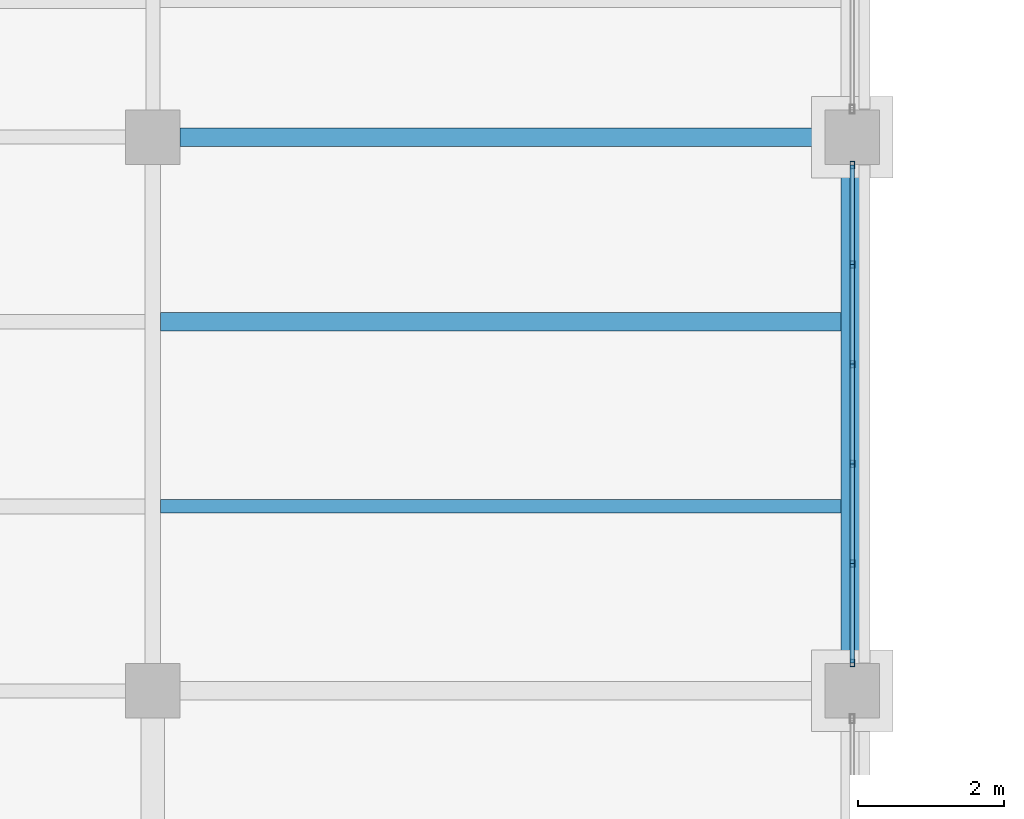
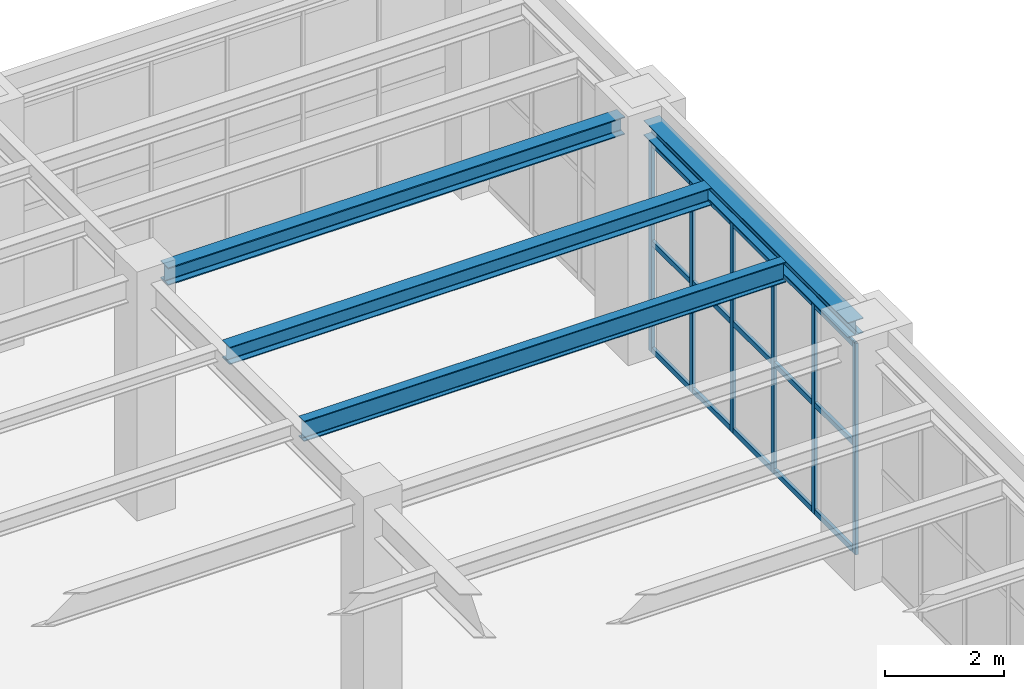
# One storey, part 80 of 174: 21 members, 4 beams, 1 element without a shape of its own.
"""IFC4 building model written with IfcOpenShell, lengths in metres."""

import ifcopenshell
import ifcopenshell.guid

model = None  # the IFC model being written
_history = None  # IfcOwnerHistory: only IFC2X3 demands one
_inside = {}  # id of a spatial element -> (the spatial element, [elements in it])
_under = {}  # id of a project, library or spatial element -> (it, [spatial elements below it])
_declared = {}  # id of a project -> (the project, [libraries it declares])
_typed = {}  # id of a type object -> (the type object, [elements of that type])
_made_of = {}  # id of a material, layer set ... -> (it, [elements and type objects made of it])


def new_model(schema):
    """Start an empty IFC model of exactly this schema.

    Asked for "IFC4X3", IfcOpenShell would pick the latest addendum, in which some entities
    have other attributes; the version numbers below select the first issue.
    IFC2X3 requires an IfcOwnerHistory on every rooted entity: one is made here for all.
    """
    global model, _history
    if schema == "IFC4X3":
        model = ifcopenshell.file(schema_version=(4, 3, 0, 0))
    else:
        model = ifcopenshell.file(schema=schema)
    _inside.clear()
    _under.clear()
    _declared.clear()
    _typed.clear()
    _made_of.clear()
    _history = None
    if model.schema == "IFC2X3":
        org = make("IfcOrganization", Name="unknown")
        user = make(
            "IfcPersonAndOrganization",
            ThePerson=make("IfcPerson", FamilyName="unknown"),
            TheOrganization=org,
        )
        app = make(
            "IfcApplication",
            ApplicationDeveloper=org,
            Version="unknown",
            ApplicationFullName="unknown",
            ApplicationIdentifier="unknown",
        )
        _history = make(
            "IfcOwnerHistory",
            OwningUser=user,
            OwningApplication=app,
            ChangeAction="ADDED",
            CreationDate=0,
        )
    return model


def make(cls, **values):
    """One entity of the class cls with the attributes given. An attribute that is None is left unset."""
    return model.create_entity(
        cls, **{name: value for name, value in values.items() if value is not None}
    )


def rooted(cls, **values):
    """An entity with a GlobalId (a new one), such as an element, a storey or a relation."""
    return make(cls, GlobalId=ifcopenshell.guid.new(), OwnerHistory=_history, **values)


def si_unit(unit_type, name, prefix=None):
    """IfcSIUnit, for example si_unit("LENGTHUNIT", "METRE", prefix="MILLI")."""
    return make("IfcSIUnit", UnitType=unit_type, Prefix=prefix, Name=name)


def assignment(units):
    """IfcUnitAssignment: the units of a project."""
    return None if units is None else make("IfcUnitAssignment", Units=units)


def point(xyz):
    """IfcCartesianPoint."""
    return None if xyz is None else make("IfcCartesianPoint", Coordinates=xyz)


def direction(xyz):
    """IfcDirection."""
    return None if xyz is None else make("IfcDirection", DirectionRatios=xyz)


def frame(location, z_axis=None, x_axis=None):
    """IfcAxis2Placement3D, a coordinate frame: its origin and axes. An axis left out is left unset."""
    return make(
        "IfcAxis2Placement3D",
        Location=point(location),
        Axis=direction(z_axis),
        RefDirection=direction(x_axis),
    )


def frame_2d(location, x_axis=None):
    """IfcAxis2Placement2D, a coordinate frame in the plane: its origin and x axis."""
    return make(
        "IfcAxis2Placement2D", Location=point(location), RefDirection=direction(x_axis)
    )


def origin():
    """The frame at (0, 0, 0) with its axes left unset."""
    return frame((0.0, 0.0, 0.0))


def origin_2d():
    """The frame at (0, 0) in the plane with its x axis left unset."""
    return frame_2d((0.0, 0.0))


def place(relative_to, where):
    """IfcLocalPlacement: puts the frame where relative to a parent placement (None: the world)."""
    return make(
        "IfcLocalPlacement", PlacementRelTo=relative_to, RelativePlacement=where
    )


def context(
    kind, dimensions, precision=None, world=None, true_north=None, identifier=None
):
    """IfcGeometricRepresentationContext, for example the 3D "Model" context."""
    return make(
        "IfcGeometricRepresentationContext",
        ContextIdentifier=identifier,
        ContextType=kind,
        CoordinateSpaceDimension=dimensions,
        Precision=precision,
        WorldCoordinateSystem=world,
        TrueNorth=true_north,
    )


def subcontext(parent, identifier, kind, view, scale=None):
    """IfcGeometricRepresentationSubContext, for example "Body" below "Model"."""
    return make(
        "IfcGeometricRepresentationSubContext",
        ContextIdentifier=identifier,
        ContextType=kind,
        ParentContext=parent,
        TargetScale=scale,
        TargetView=view,
    )


def project(units=None, contexts=None):
    """IfcProject with its units and contexts."""
    return rooted(
        "IfcProject",
        Name="project",
        RepresentationContexts=contexts,
        UnitsInContext=assignment(units),
    )


def spatial(cls, under=None, at=None, **own):
    """A site, building, storey or space (cls), placed at a placement, below another one or the project."""
    s = rooted(cls, ObjectPlacement=at, **own)
    if under is not None:
        _under.setdefault(under.id(), (under, []))[1].append(s)
    return s


def profile(cls, at=None, kind="AREA", **sizes):
    """A parametric profile (cls). Its sizes go by their IFC names, for example OverallWidth=200.0."""
    return make(cls, ProfileType=kind, Position=at, **sizes)


def hollow_rectangle(**sizes):
    """IfcRectangleHollowProfileDef."""
    return profile("IfcRectangleHollowProfileDef", **sizes)


def i_section(**sizes):
    """IfcIShapeProfileDef."""
    return profile("IfcIShapeProfileDef", **sizes)


def extrude(swept, where, along, depth):
    """IfcExtrudedAreaSolid: the profile swept, set in the frame where, extruded along a direction by depth."""
    return make(
        "IfcExtrudedAreaSolid",
        SweptArea=swept,
        Position=where,
        ExtrudedDirection=direction(along),
        Depth=depth,
    )


def shape(context_of_items, identifier, shape_type, items):
    """IfcShapeRepresentation: the items that make up one representation, for example the "Body"."""
    return make(
        "IfcShapeRepresentation",
        ContextOfItems=context_of_items,
        RepresentationIdentifier=identifier,
        RepresentationType=shape_type,
        Items=items,
    )


def material(Name=None, Category=None):
    """IfcMaterial."""
    return make("IfcMaterial", Name=Name, Category=Category)


def material_profile(
    of_material, cross_section, Name=None, Category=None, Priority=None
):
    """IfcMaterialProfile: a cross section and its material."""
    return make(
        "IfcMaterialProfile",
        Name=Name,
        Material=of_material,
        Profile=cross_section,
        Priority=Priority,
        Category=Category,
    )


def profile_set(profiles, Name=None, composite=None):
    """IfcMaterialProfileSet."""
    return make(
        "IfcMaterialProfileSet",
        Name=Name,
        MaterialProfiles=profiles,
        CompositeProfile=composite,
    )


def made_of(thing, what):
    """Note that an element or type object is made of a material, layer set ...; save() writes the relation."""
    if what is not None:
        _made_of.setdefault(what.id(), (what, []))[1].append(thing)
    return thing


def type_object(cls, material=None, **own):
    """A type object (cls), such as IfcWallType, which elements share."""
    return made_of(rooted(cls, **own), material)


def element(
    cls,
    number,
    at=None,
    inside=None,
    cuts=None,
    type_object=None,
    material=None,
    context=None,
    identifier="Body",
    shape_type=None,
    held_by="IfcProductDefinitionShape",
    body=None,
    shapes=None,
    **own,
):
    """One element of the class cls, such as IfcWall. Its Tag is "e" and its number.

    at: its placement. inside: the storey or other place that contains it. cuts: it is an
    opening in that element (IfcRelVoidsElement). A single representation is given by context,
    identifier, shape_type and body (its items); several are given by shapes. held_by: the class
    of the entity that holds the representations. save() writes the other relations.
    """
    e = rooted(cls, Tag="e%d" % number, ObjectPlacement=at, **own)
    if body is not None:
        shapes = [shape(context, identifier, shape_type, body)]
    if shapes is not None:
        e.Representation = make(held_by, Representations=shapes)
    if inside is not None:
        _inside.setdefault(inside.id(), (inside, []))[1].append(e)
    if cuts is not None:
        rooted(
            "IfcRelVoidsElement", RelatingBuildingElement=cuts, RelatedOpeningElement=e
        )
    if type_object is not None:
        _typed.setdefault(type_object.id(), (type_object, []))[1].append(e)
    return made_of(e, material)


def aggregate(whole, parts):
    """IfcRelAggregates: a whole, such as a stair, and the parts it consists of."""
    return rooted("IfcRelAggregates", RelatingObject=whole, RelatedObjects=parts)


def save(model, path):
    """Write the relations noted so far, then the file.

    IfcRelAggregates (storeys below a building ...), IfcRelContainedInSpatialStructure (elements
    in a storey), IfcRelDefinesByType, IfcRelAssociatesMaterial and IfcRelDeclares: one each for
    every whole, place, type object, material and project.
    """
    for whole, parts in _under.values():
        aggregate(whole, parts)
    for where, things in _inside.values():
        rooted(
            "IfcRelContainedInSpatialStructure",
            RelatedElements=things,
            RelatingStructure=where,
        )
    for kind, things in _typed.values():
        rooted("IfcRelDefinesByType", RelatedObjects=things, RelatingType=kind)
    for what, things in _made_of.values():
        rooted("IfcRelAssociatesMaterial", RelatedObjects=things, RelatingMaterial=what)
    for by, libraries in _declared.values():
        rooted("IfcRelDeclares", RelatingContext=by, RelatedDefinitions=libraries)
    model.write(path)


model = new_model("IFC4")

# Units and contexts
model_context = context("Model", 3, precision=1e-05, world=origin(), true_north=direction((0.0, 1.0)))
body_context = subcontext(model_context, "Body", "Model", "MODEL_VIEW")
ifc_project = project(units=[si_unit("LENGTHUNIT", "METRE"), si_unit("AREAUNIT", "SQUARE_METRE"), si_unit("VOLUMEUNIT", "CUBIC_METRE"), si_unit("PLANEANGLEUNIT", "RADIAN"), si_unit("MASSUNIT", "GRAM", prefix="KILO")], contexts=[model_context])

# Site, building, storey
site_placement = place(None, origin())
site = spatial("IfcSite", under=ifc_project, at=site_placement, CompositionType="ELEMENT")
building_placement = place(site_placement, origin())
building = spatial("IfcBuilding", under=site, at=building_placement, Name="Mavantir Sound Aquarium", CompositionType="ELEMENT")
storey_placement = place(building_placement, frame((0.0, 0.0, 5.39990234375)))
storey = spatial("IfcBuildingStorey", under=building, at=storey_placement, Name="L01", CompositionType="ELEMENT", Elevation=5.39990234375)

# Beams
ifc_material_1 = material(Name="Structural Steel ASTM A992 Gr50", Category="steel")
ifc_material_profile_1 = material_profile(ifc_material_1, i_section(OverallWidth=0.304931640625, OverallDepth=0.30810546875, WebThickness=0.010009765625, FlangeThickness=0.015380859375, FilletRadius=0.014892578125, at=origin_2d()), Name="W310X97")
ifc_profile_set_1 = profile_set([ifc_material_profile_1], Name="Structural Steel ASTM A992 Gr50")
beam_type_1 = type_object("IfcBeamType", Name="BM-W310X97-E", PredefinedType="SPANDREL", material=ifc_profile_set_1)
beam_1_placement = place(storey_placement, frame((38.39990234375, 103.175048828125, 4.6220703125), z_axis=(0.0, 1.0, 0.0), x_axis=(-1.0, 0.0, 0.0)))
element("IfcBeam", 1, at=beam_1_placement, inside=storey, type_object=beam_type_1, Name="L01 primary girder SS-31A 1395", PredefinedType="SPANDREL", context=body_context, shape_type="SweptSolid", body=[
    extrude(i_section(OverallWidth=0.304931640625, OverallDepth=0.30810546875, WebThickness=0.010009765625, FlangeThickness=0.015380859375, FilletRadius=0.014892578125, at=origin_2d()), origin(), (0.0, 0.0, 1.0), 6.849853515625),
])
ifc_material_profile_2 = material_profile(ifc_material_1, i_section(OverallWidth=0.257080078125, OverallDepth=0.363037109375, WebThickness=0.012939453125, FlangeThickness=0.021728515625, FilletRadius=0.014892578125, at=origin_2d()), Name="W360X122")
ifc_profile_set_2 = profile_set([ifc_material_profile_2], Name="Structural Steel ASTM A992 Gr50")
beam_type_2 = type_object("IfcBeamType", Name="BM-W360X122-I", PredefinedType="BEAM", material=ifc_profile_set_2)
beam_2_placement = place(storey_placement, frame((29.175048828125, 110.39990234375, 4.594482421875), z_axis=(1.0, 0.0, 0.0), x_axis=(0.0, 1.0, 0.0)))
element("IfcBeam", 2, at=beam_2_placement, inside=storey, type_object=beam_type_2, Name="L01 primary beam SB-36A 1372", PredefinedType="BEAM", context=body_context, shape_type="SweptSolid", body=[
    extrude(i_section(OverallWidth=0.257080078125, OverallDepth=0.363037109375, WebThickness=0.012939453125, FlangeThickness=0.021728515625, FilletRadius=0.014892578125, at=origin_2d()), origin(), (0.0, 0.0, 1.0), 8.849853515625),
])
ifc_material_profile_3 = material_profile(ifc_material_1, i_section(OverallWidth=0.25390625, OverallDepth=0.35302734375, WebThickness=0.009521484375, FlangeThickness=0.016357421875, FilletRadius=0.014892578125, at=origin_2d()), Name="W360X91")
ifc_profile_set_3 = profile_set([ifc_material_profile_3], Name="Structural Steel ASTM A992 Gr50")
beam_type_3 = type_object("IfcBeamType", Name="BM-W360X91-I", PredefinedType="JOIST", material=ifc_profile_set_3)
beam_3_placement = place(storey_placement, frame((28.906005859375, 107.86669921875, 4.599609375), z_axis=(1.0, 0.0, 0.0), x_axis=(0.0, 1.0, 0.0)))
element("IfcBeam", 3, at=beam_3_placement, inside=storey, type_object=beam_type_3, Name="L01 secondary floor joist SJ-36 822", PredefinedType="JOIST", context=body_context, shape_type="SweptSolid", body=[
    extrude(i_section(OverallWidth=0.25390625, OverallDepth=0.35302734375, WebThickness=0.009521484375, FlangeThickness=0.016357421875, FilletRadius=0.014892578125, at=origin_2d()), origin(), (0.0, 0.0, 1.0), 9.341552734375),
])
ifc_material_profile_4 = material_profile(ifc_material_1, i_section(OverallWidth=0.180908203125, OverallDepth=0.4169921875, WebThickness=0.010986328125, FlangeThickness=0.018310546875, FilletRadius=0.014892578125, at=origin_2d()), Name="W410X85")
ifc_profile_set_4 = profile_set([ifc_material_profile_4], Name="Structural Steel ASTM A992 Gr50")
beam_type_4 = type_object("IfcBeamType", Name="BM-W410X85-I", PredefinedType="JOIST", material=ifc_profile_set_4)
beam_4_placement = place(storey_placement, frame((28.906005859375, 105.333251953125, 4.567626953125), z_axis=(1.0, 0.0, 0.0), x_axis=(0.0, 1.0, 0.0)))
element("IfcBeam", 4, at=beam_4_placement, inside=storey, type_object=beam_type_4, Name="L01 secondary floor joist SJ-41 821", PredefinedType="JOIST", context=body_context, shape_type="SweptSolid", body=[
    extrude(i_section(OverallWidth=0.180908203125, OverallDepth=0.4169921875, WebThickness=0.010986328125, FlangeThickness=0.018310546875, FilletRadius=0.014892578125, at=origin_2d()), origin(), (0.0, 0.0, 1.0), 9.341552734375),
])

# Curtain wall, members
ifc_material_2 = material(Name="Anodised Marine Aluminium and Low-E Glass", Category="aluminium")
curtain_wall_type = type_object("IfcCurtainWallType", Name="CW-T19", PredefinedType="USERDEFINED", material=ifc_material_2)
curtain_wall_placement = place(storey_placement, origin())
curtain_wall = element("IfcCurtainWall", 5, at=curtain_wall_placement, inside=storey, type_object=curtain_wall_type, Name="L01 unitised curtain wall CW-19 115", ObjectType="UNITISED GLAZING", PredefinedType="USERDEFINED")
ifc_material_3 = material(Name="Anodised Marine Aluminium 6063-T6", Category="aluminium")
ifc_material_profile_5 = material_profile(ifc_material_3, hollow_rectangle(XDim=0.06005859375, YDim=0.10009765625, WallThickness=0.00390625, at=origin_2d()), Name="ALU-MULLION-100X60")
ifc_profile_set_5 = profile_set([ifc_material_profile_5], Name="Anodised Marine Aluminium 6063-T6")
member_type_1 = type_object("IfcMemberType", Name="CW-MUL-100", PredefinedType="MULLION", material=ifc_profile_set_5)
member_1_placement = place(storey_placement, frame((38.39990234375, 103.18310546875, 0.0), z_axis=(0.0, 0.0, 1.0), x_axis=(1.0, 0.0, 0.0)))
member_1 = element("IfcMember", 6, at=member_1_placement, type_object=member_type_1, Name="CW-L01-115 vertical mullion 1", PredefinedType="MULLION", context=body_context, shape_type="SweptSolid", body=[
    extrude(hollow_rectangle(XDim=0.06005859375, YDim=0.10009765625, WallThickness=0.00390625, at=origin_2d()), origin(), (0.0, 0.0, 1.0), 4.3291015625),
])
member_2_placement = place(storey_placement, frame((38.39990234375, 104.5498046875, 0.0), z_axis=(0.0, 0.0, 1.0), x_axis=(1.0, 0.0, 0.0)))
member_2 = element("IfcMember", 7, at=member_2_placement, type_object=member_type_1, Name="CW-L01-115 vertical mullion 2", PredefinedType="MULLION", context=body_context, shape_type="SweptSolid", body=[
    extrude(hollow_rectangle(XDim=0.06005859375, YDim=0.10009765625, WallThickness=0.00390625, at=origin_2d()), origin(), (0.0, 0.0, 1.0), 4.3291015625),
])
member_3_placement = place(storey_placement, frame((38.39990234375, 105.91650390625, 0.0), z_axis=(0.0, 0.0, 1.0), x_axis=(1.0, 0.0, 0.0)))
member_3 = element("IfcMember", 8, at=member_3_placement, type_object=member_type_1, Name="CW-L01-115 vertical mullion 3", PredefinedType="MULLION", context=body_context, shape_type="SweptSolid", body=[
    extrude(hollow_rectangle(XDim=0.06005859375, YDim=0.10009765625, WallThickness=0.00390625, at=origin_2d()), origin(), (0.0, 0.0, 1.0), 4.3291015625),
])
member_4_placement = place(storey_placement, frame((38.39990234375, 107.283447265625, 0.0), z_axis=(0.0, 0.0, 1.0), x_axis=(1.0, 0.0, 0.0)))
member_4 = element("IfcMember", 9, at=member_4_placement, type_object=member_type_1, Name="CW-L01-115 vertical mullion 4", PredefinedType="MULLION", context=body_context, shape_type="SweptSolid", body=[
    extrude(hollow_rectangle(XDim=0.06005859375, YDim=0.10009765625, WallThickness=0.00390625, at=origin_2d()), origin(), (0.0, 0.0, 1.0), 4.3291015625),
])
member_5_placement = place(storey_placement, frame((38.39990234375, 108.650146484375, 0.0), z_axis=(0.0, 0.0, 1.0), x_axis=(1.0, 0.0, 0.0)))
member_5 = element("IfcMember", 10, at=member_5_placement, type_object=member_type_1, Name="CW-L01-115 vertical mullion 5", PredefinedType="MULLION", context=body_context, shape_type="SweptSolid", body=[
    extrude(hollow_rectangle(XDim=0.06005859375, YDim=0.10009765625, WallThickness=0.00390625, at=origin_2d()), origin(), (0.0, 0.0, 1.0), 4.3291015625),
])
member_6_placement = place(storey_placement, frame((38.39990234375, 110.01708984375, 0.0), z_axis=(0.0, 0.0, 1.0), x_axis=(1.0, 0.0, 0.0)))
member_6 = element("IfcMember", 11, at=member_6_placement, type_object=member_type_1, Name="CW-L01-115 vertical mullion 6", PredefinedType="MULLION", context=body_context, shape_type="SweptSolid", body=[
    extrude(hollow_rectangle(XDim=0.06005859375, YDim=0.10009765625, WallThickness=0.00390625, at=origin_2d()), origin(), (0.0, 0.0, 1.0), 4.3291015625),
])
ifc_material_profile_6 = material_profile(ifc_material_3, hollow_rectangle(XDim=0.06005859375, YDim=0.110107421875, WallThickness=0.00390625, at=origin_2d()), Name="ALU-TRANSOM-110X60")
ifc_profile_set_6 = profile_set([ifc_material_profile_6], Name="Anodised Marine Aluminium 6063-T6")
member_type_2 = type_object("IfcMemberType", Name="CW-TRN-110", PredefinedType="USERDEFINED", material=ifc_profile_set_6)
member_7_placement = place(storey_placement, frame((38.39990234375, 103.18310546875, 0.05517578125), z_axis=(0.0, 1.0, 0.0), x_axis=(-1.0, 0.0, 0.0)))
member_7 = element("IfcMember", 12, at=member_7_placement, type_object=member_type_2, Name="CW-L01-115 transom 1.1", ObjectType="TRANSOM", PredefinedType="USERDEFINED", context=body_context, shape_type="SweptSolid", body=[
    extrude(hollow_rectangle(XDim=0.06005859375, YDim=0.110107421875, WallThickness=0.00390625, at=origin_2d()), origin(), (0.0, 0.0, 1.0), 1.36669921875),
])
member_8_placement = place(storey_placement, frame((38.39990234375, 103.18310546875, 2.251220703125), z_axis=(0.0, 1.0, 0.0), x_axis=(-1.0, 0.0, 0.0)))
member_8 = element("IfcMember", 13, at=member_8_placement, type_object=member_type_2, Name="CW-L01-115 transom 1.2", ObjectType="TRANSOM", PredefinedType="USERDEFINED", context=body_context, shape_type="SweptSolid", body=[
    extrude(hollow_rectangle(XDim=0.06005859375, YDim=0.110107421875, WallThickness=0.00390625, at=origin_2d()), origin(), (0.0, 0.0, 1.0), 1.36669921875),
])
member_9_placement = place(storey_placement, frame((38.39990234375, 103.18310546875, 4.274169921875), z_axis=(0.0, 1.0, 0.0), x_axis=(-1.0, 0.0, 0.0)))
member_9 = element("IfcMember", 14, at=member_9_placement, type_object=member_type_2, Name="CW-L01-115 transom 1.3", ObjectType="TRANSOM", PredefinedType="USERDEFINED", context=body_context, shape_type="SweptSolid", body=[
    extrude(hollow_rectangle(XDim=0.06005859375, YDim=0.110107421875, WallThickness=0.00390625, at=origin_2d()), origin(), (0.0, 0.0, 1.0), 1.36669921875),
])
member_10_placement = place(storey_placement, frame((38.39990234375, 104.5498046875, 0.05517578125), z_axis=(0.0, 1.0, 0.0), x_axis=(-1.0, 0.0, 0.0)))
member_10 = element("IfcMember", 15, at=member_10_placement, type_object=member_type_2, Name="CW-L01-115 transom 2.1", ObjectType="TRANSOM", PredefinedType="USERDEFINED", context=body_context, shape_type="SweptSolid", body=[
    extrude(hollow_rectangle(XDim=0.06005859375, YDim=0.110107421875, WallThickness=0.00390625, at=origin_2d()), origin(), (0.0, 0.0, 1.0), 1.36669921875),
])
member_11_placement = place(storey_placement, frame((38.39990234375, 104.5498046875, 2.251220703125), z_axis=(0.0, 1.0, 0.0), x_axis=(-1.0, 0.0, 0.0)))
member_11 = element("IfcMember", 16, at=member_11_placement, type_object=member_type_2, Name="CW-L01-115 transom 2.2", ObjectType="TRANSOM", PredefinedType="USERDEFINED", context=body_context, shape_type="SweptSolid", body=[
    extrude(hollow_rectangle(XDim=0.06005859375, YDim=0.110107421875, WallThickness=0.00390625, at=origin_2d()), origin(), (0.0, 0.0, 1.0), 1.36669921875),
])
member_12_placement = place(storey_placement, frame((38.39990234375, 104.5498046875, 4.274169921875), z_axis=(0.0, 1.0, 0.0), x_axis=(-1.0, 0.0, 0.0)))
member_12 = element("IfcMember", 17, at=member_12_placement, type_object=member_type_2, Name="CW-L01-115 transom 2.3", ObjectType="TRANSOM", PredefinedType="USERDEFINED", context=body_context, shape_type="SweptSolid", body=[
    extrude(hollow_rectangle(XDim=0.06005859375, YDim=0.110107421875, WallThickness=0.00390625, at=origin_2d()), origin(), (0.0, 0.0, 1.0), 1.36669921875),
])
member_13_placement = place(storey_placement, frame((38.39990234375, 105.91650390625, 0.05517578125), z_axis=(0.0, 1.0, 0.0), x_axis=(-1.0, 0.0, 0.0)))
member_13 = element("IfcMember", 18, at=member_13_placement, type_object=member_type_2, Name="CW-L01-115 transom 3.1", ObjectType="TRANSOM", PredefinedType="USERDEFINED", context=body_context, shape_type="SweptSolid", body=[
    extrude(hollow_rectangle(XDim=0.06005859375, YDim=0.110107421875, WallThickness=0.00390625, at=origin_2d()), origin(), (0.0, 0.0, 1.0), 1.366943359375),
])
member_14_placement = place(storey_placement, frame((38.39990234375, 105.91650390625, 2.251220703125), z_axis=(0.0, 1.0, 0.0), x_axis=(-1.0, 0.0, 0.0)))
member_14 = element("IfcMember", 19, at=member_14_placement, type_object=member_type_2, Name="CW-L01-115 transom 3.2", ObjectType="TRANSOM", PredefinedType="USERDEFINED", context=body_context, shape_type="SweptSolid", body=[
    extrude(hollow_rectangle(XDim=0.06005859375, YDim=0.110107421875, WallThickness=0.00390625, at=origin_2d()), origin(), (0.0, 0.0, 1.0), 1.366943359375),
])
member_15_placement = place(storey_placement, frame((38.39990234375, 105.91650390625, 4.274169921875), z_axis=(0.0, 1.0, 0.0), x_axis=(-1.0, 0.0, 0.0)))
member_15 = element("IfcMember", 20, at=member_15_placement, type_object=member_type_2, Name="CW-L01-115 transom 3.3", ObjectType="TRANSOM", PredefinedType="USERDEFINED", context=body_context, shape_type="SweptSolid", body=[
    extrude(hollow_rectangle(XDim=0.06005859375, YDim=0.110107421875, WallThickness=0.00390625, at=origin_2d()), origin(), (0.0, 0.0, 1.0), 1.366943359375),
])
member_16_placement = place(storey_placement, frame((38.39990234375, 107.283447265625, 0.05517578125), z_axis=(0.0, 1.0, 0.0), x_axis=(-1.0, 0.0, 0.0)))
member_16 = element("IfcMember", 21, at=member_16_placement, type_object=member_type_2, Name="CW-L01-115 transom 4.1", ObjectType="TRANSOM", PredefinedType="USERDEFINED", context=body_context, shape_type="SweptSolid", body=[
    extrude(hollow_rectangle(XDim=0.06005859375, YDim=0.110107421875, WallThickness=0.00390625, at=origin_2d()), origin(), (0.0, 0.0, 1.0), 1.36669921875),
])
member_17_placement = place(storey_placement, frame((38.39990234375, 107.283447265625, 2.251220703125), z_axis=(0.0, 1.0, 0.0), x_axis=(-1.0, 0.0, 0.0)))
member_17 = element("IfcMember", 22, at=member_17_placement, type_object=member_type_2, Name="CW-L01-115 transom 4.2", ObjectType="TRANSOM", PredefinedType="USERDEFINED", context=body_context, shape_type="SweptSolid", body=[
    extrude(hollow_rectangle(XDim=0.06005859375, YDim=0.110107421875, WallThickness=0.00390625, at=origin_2d()), origin(), (0.0, 0.0, 1.0), 1.36669921875),
])
member_18_placement = place(storey_placement, frame((38.39990234375, 107.283447265625, 4.274169921875), z_axis=(0.0, 1.0, 0.0), x_axis=(-1.0, 0.0, 0.0)))
member_18 = element("IfcMember", 23, at=member_18_placement, type_object=member_type_2, Name="CW-L01-115 transom 4.3", ObjectType="TRANSOM", PredefinedType="USERDEFINED", context=body_context, shape_type="SweptSolid", body=[
    extrude(hollow_rectangle(XDim=0.06005859375, YDim=0.110107421875, WallThickness=0.00390625, at=origin_2d()), origin(), (0.0, 0.0, 1.0), 1.36669921875),
])
member_19_placement = place(storey_placement, frame((38.39990234375, 108.650146484375, 0.05517578125), z_axis=(0.0, 1.0, 0.0), x_axis=(-1.0, 0.0, 0.0)))
member_19 = element("IfcMember", 24, at=member_19_placement, type_object=member_type_2, Name="CW-L01-115 transom 5.1", ObjectType="TRANSOM", PredefinedType="USERDEFINED", context=body_context, shape_type="SweptSolid", body=[
    extrude(hollow_rectangle(XDim=0.06005859375, YDim=0.110107421875, WallThickness=0.00390625, at=origin_2d()), origin(), (0.0, 0.0, 1.0), 1.366943359375),
])
member_20_placement = place(storey_placement, frame((38.39990234375, 108.650146484375, 2.251220703125), z_axis=(0.0, 1.0, 0.0), x_axis=(-1.0, 0.0, 0.0)))
member_20 = element("IfcMember", 25, at=member_20_placement, type_object=member_type_2, Name="CW-L01-115 transom 5.2", ObjectType="TRANSOM", PredefinedType="USERDEFINED", context=body_context, shape_type="SweptSolid", body=[
    extrude(hollow_rectangle(XDim=0.06005859375, YDim=0.110107421875, WallThickness=0.00390625, at=origin_2d()), origin(), (0.0, 0.0, 1.0), 1.366943359375),
])
member_21_placement = place(storey_placement, frame((38.39990234375, 108.650146484375, 4.274169921875), z_axis=(0.0, 1.0, 0.0), x_axis=(-1.0, 0.0, 0.0)))
member_21 = element("IfcMember", 26, at=member_21_placement, type_object=member_type_2, Name="CW-L01-115 transom 5.3", ObjectType="TRANSOM", PredefinedType="USERDEFINED", context=body_context, shape_type="SweptSolid", body=[
    extrude(hollow_rectangle(XDim=0.06005859375, YDim=0.110107421875, WallThickness=0.00390625, at=origin_2d()), origin(), (0.0, 0.0, 1.0), 1.366943359375),
])
aggregate(curtain_wall, [member_1, member_2, member_3, member_4, member_5, member_6, member_7, member_8, member_9, member_10, member_11, member_12, member_13, member_14, member_15, member_16, member_17, member_18, member_19, member_20, member_21])

save(model, "model.ifc")
